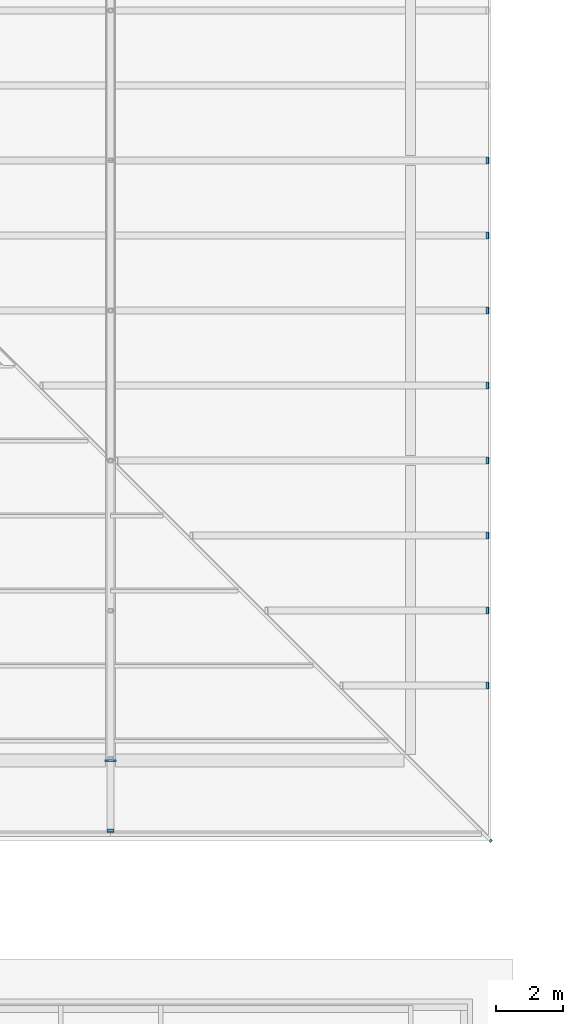
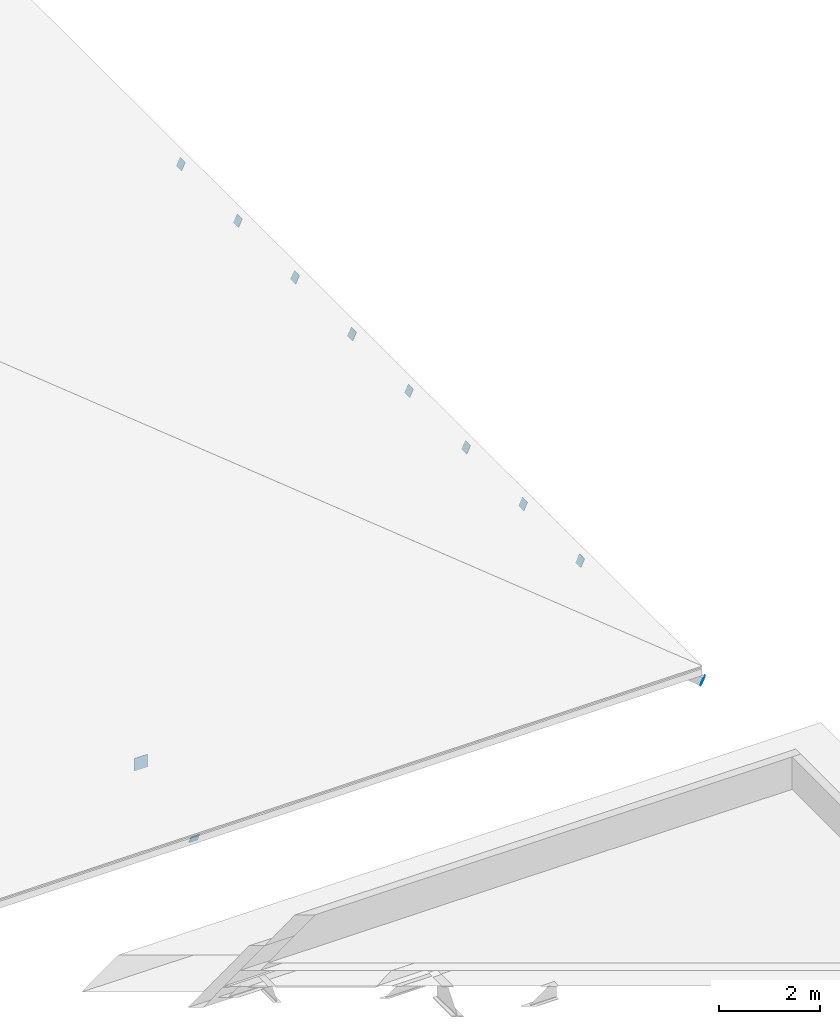
# One storey, part 132 of 154: 11 discrete accessories.
"""IFC4 building model written with IfcOpenShell, lengths in metres."""

from ifc_helpers import new_model, si_unit, direction, frame, origin, origin_2d, place, context, subcontext, project, spatial, rectangle, extrude, material, material_profile, profile_set, type_object, element, save


model = new_model("IFC4")

# Units and contexts
model_context = context("Model", 3, precision=1e-05, world=origin(), true_north=direction((0.0, 1.0)))
body_context = subcontext(model_context, "Body", "Model", "MODEL_VIEW")
ifc_project = project(units=[si_unit("LENGTHUNIT", "METRE"), si_unit("AREAUNIT", "SQUARE_METRE"), si_unit("VOLUMEUNIT", "CUBIC_METRE"), si_unit("PLANEANGLEUNIT", "RADIAN"), si_unit("MASSUNIT", "GRAM", prefix="KILO")], contexts=[model_context])

# Site, building, storey
site_placement = place(None, origin())
site = spatial("IfcSite", under=ifc_project, at=site_placement, CompositionType="ELEMENT")
building_placement = place(site_placement, origin())
building = spatial("IfcBuilding", under=site, at=building_placement, Name="Golden Quay Civic Hall", CompositionType="ELEMENT")
storey_placement = place(building_placement, frame((0.0, 0.0, 14.39990234375)))
storey = spatial("IfcBuildingStorey", under=building, at=storey_placement, Name="L03", CompositionType="ELEMENT", Elevation=14.39990234375)

# Discrete accessories
ifc_material_1 = material(Name="Steel S355", Category="steel")
ifc_material_profile_1 = material_profile(ifc_material_1, rectangle(XDim=0.10009765625, YDim=0.199951171875, at=origin_2d()), Name="Steel end cap plate 100x200x16")
ifc_profile_set_1 = profile_set([ifc_material_profile_1], Name="Steel S355")
discrete_accessory_type_1 = type_object("IfcDiscreteAccessoryType", Name="Steel end cap plate 100x200x16", PredefinedType="BRACKET", material=ifc_profile_set_1)
discrete_accessory_1_placement = place(storey_placement, frame((173.39990234375, 60.60009765625, -0.663818359375), z_axis=(0.669981710718, -0.669981710718, -0.319763998297), x_axis=(0.707106781187, 0.707106781187, 0.0)))
element("IfcDiscreteAccessory", 1, at=discrete_accessory_1_placement, inside=storey, type_object=discrete_accessory_type_1, Name="End cap hip rafter south-east", PredefinedType="BRACKET", context=body_context, shape_type="SweptSolid", body=[
    extrude(rectangle(XDim=0.10009765625, YDim=0.199951171875, at=origin_2d()), origin(), (0.0, 0.0, 1.0), 0.01611328125),
])
ifc_material_2 = material(Name="Steel S355", Category="steel")
ifc_material_profile_2 = material_profile(ifc_material_2, rectangle(XDim=0.199951171875, YDim=0.199951171875, at=origin_2d()), Name="Steel end cap plate 200x200x16")
ifc_profile_set_2 = profile_set([ifc_material_profile_2], Name="Steel S355")
discrete_accessory_type_2 = type_object("IfcDiscreteAccessoryType", Name="Steel end cap plate 200x200x16", PredefinedType="BRACKET", material=ifc_profile_set_2)
for number, where, z_axis, x_axis, name in (
    (2, (162.0, 60.89990234375, -0.651123046875), (0.0, -0.90342581024, -0.428744452317), (1.0, 0.0, 0.0), "End cap truss 162 top chord 1"),
    (3, (173.300048828125, 65.25, -0.56787109375), (0.90342581024, 0.0, -0.428744452317), (0.0, 1.0, 0.0), "End cap jack rafter east 1"),
    (4, (173.300048828125, 67.5, -0.56787109375), (0.90342581024, 0.0, -0.428744452317), (0.0, 1.0, 0.0), "End cap jack rafter east 2"),
    (5, (173.300048828125, 69.75, -0.56787109375), (0.90342581024, 0.0, -0.428744452317), (0.0, 1.0, 0.0), "End cap jack rafter east 3"),
    (6, (173.300048828125, 72.0, -0.56787109375), (0.90342581024, 0.0, -0.428744452317), (0.0, 1.0, 0.0), "End cap jack rafter east 4"),
    (7, (173.300048828125, 74.25, -0.56787109375), (0.90342581024, 0.0, -0.428744452317), (0.0, 1.0, 0.0), "End cap jack rafter east 5"),
    (8, (173.300048828125, 76.5, -0.56787109375), (0.90342581024, 0.0, -0.428744452317), (0.0, 1.0, 0.0), "End cap jack rafter east 6"),
    (9, (173.300048828125, 78.75, -0.56787109375), (0.90342581024, 0.0, -0.428744452317), (0.0, 1.0, 0.0), "End cap jack rafter east 7"),
    (10, (173.300048828125, 81.0, -0.56787109375), (0.90342581024, 0.0, -0.428744452317), (0.0, 1.0, 0.0), "End cap jack rafter east 8"),
):
    element("IfcDiscreteAccessory", number, at=place(storey_placement, frame(where, z_axis=z_axis, x_axis=x_axis)), inside=storey, type_object=discrete_accessory_type_2, Name=name, PredefinedType="BRACKET", context=body_context, shape_type="SweptSolid", body=[
        extrude(rectangle(XDim=0.199951171875, YDim=0.199951171875, at=origin_2d()), origin(), (0.0, 0.0, 1.0), 0.015869140625),
    ])
ifc_material_3 = material(Name="Steel S355", Category="steel")
ifc_material_profile_3 = material_profile(ifc_material_3, rectangle(XDim=0.300048828125, YDim=0.300048828125, at=origin_2d()), Name="Steel end cap plate 300x300x16")
ifc_profile_set_3 = profile_set([ifc_material_profile_3], Name="Steel S355")
discrete_accessory_type_3 = type_object("IfcDiscreteAccessoryType", Name="Steel end cap plate 300x300x16", PredefinedType="BRACKET", material=ifc_profile_set_3)
discrete_accessory_2_placement = place(storey_placement, frame((162.0, 63.0, -0.099853515625), z_axis=(0.0, -1.0, 0.0), x_axis=(1.0, 0.0, 0.0)))
element("IfcDiscreteAccessory", 11, at=discrete_accessory_2_placement, inside=storey, type_object=discrete_accessory_type_3, Name="End cap truss 162 bottom chord 1", PredefinedType="BRACKET", context=body_context, shape_type="SweptSolid", body=[
    extrude(rectangle(XDim=0.300048828125, YDim=0.300048828125, at=origin_2d()), origin(), (0.0, 0.0, 1.0), 0.01611328125),
])

save(model, "model.ifc")
